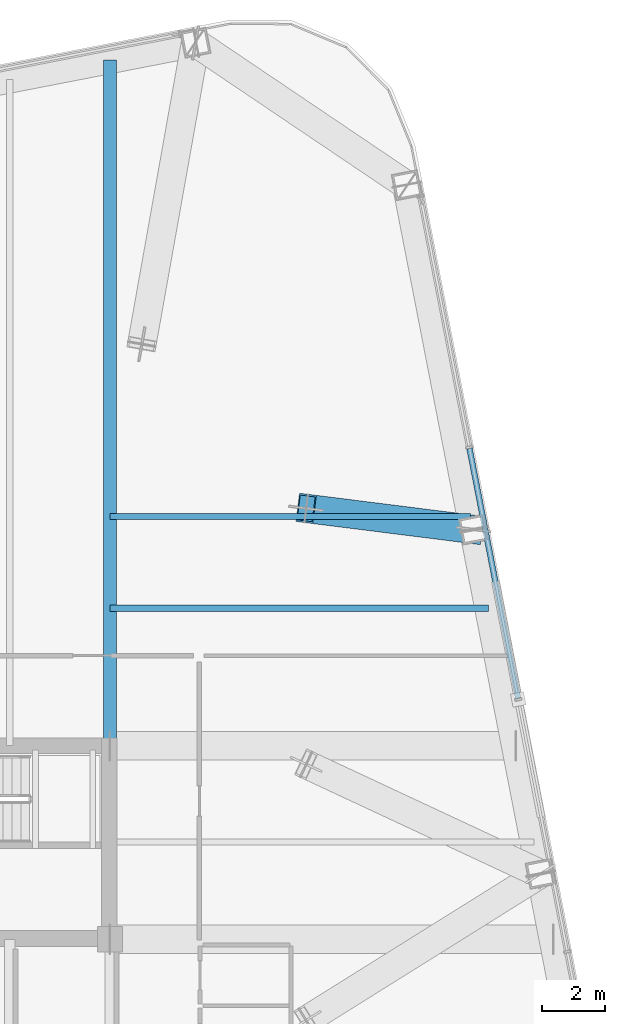
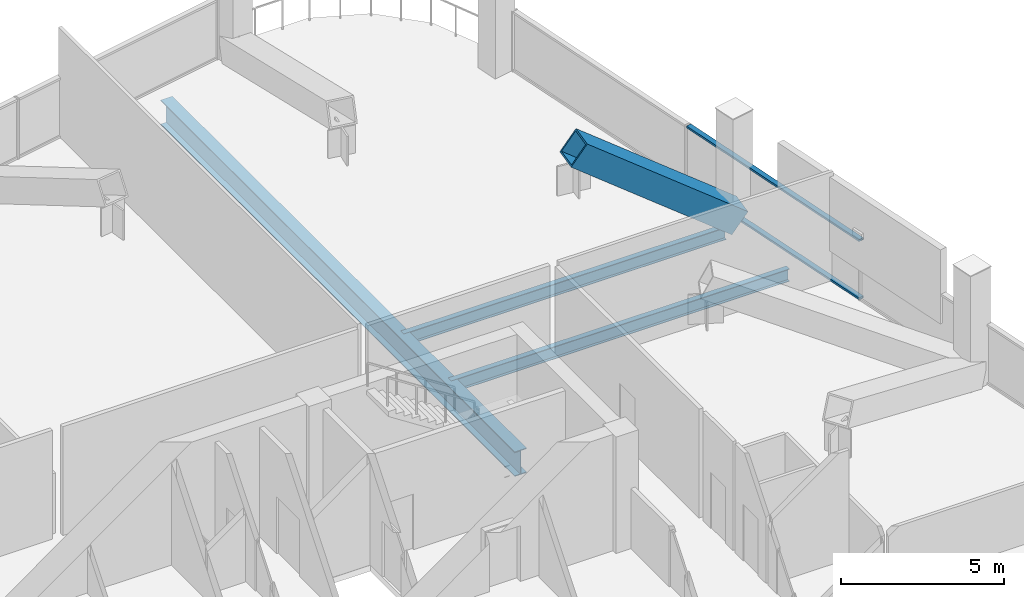
# One storey, part 15 of 26: 3 beams, 3 members, 1 element without a shape of its own.
"""IFC4 building model written with IfcOpenShell, lengths in metres."""

from ifc_helpers import new_model, si_unit, direction, frame, origin, origin_2d, place, context, subcontext, project, spatial, hollow_rectangle, i_section, extrude, material, layer, layer_set, material_profile, profile_set, type_object, element, aggregate, save


model = new_model("IFC4")

# Units and contexts
model_context = context("Model", 3, precision=1e-05, world=origin(), true_north=direction((0.0, 1.0)))
body_context = subcontext(model_context, "Body", "Model", "MODEL_VIEW")
ifc_project = project(units=[si_unit("LENGTHUNIT", "METRE"), si_unit("AREAUNIT", "SQUARE_METRE"), si_unit("VOLUMEUNIT", "CUBIC_METRE"), si_unit("PLANEANGLEUNIT", "RADIAN"), si_unit("MASSUNIT", "GRAM", prefix="KILO")], contexts=[model_context])

# Site, building, storey
site_placement = place(None, origin())
site = spatial("IfcSite", under=ifc_project, at=site_placement, CompositionType="ELEMENT")
building_placement = place(site_placement, origin())
building = spatial("IfcBuilding", under=site, at=building_placement, Name="Qhalaya Broadcast Tower", CompositionType="ELEMENT")
storey_placement = place(building_placement, frame((0.0, 0.0, 140.25)))
storey = spatial("IfcBuildingStorey", under=building, at=storey_placement, Name="L41", CompositionType="ELEMENT", Elevation=140.25)

# Beams
ifc_material_1 = material(Name="Structural Steel ASTM A992 Grade 50", Category="steel")
ifc_material_profile_1 = material_profile(ifc_material_1, i_section(OverallWidth=0.19189453125, OverallDepth=0.462890625, WebThickness=0.010498046875, FlangeThickness=0.017578125, at=origin_2d()), Name="W18X60")
ifc_profile_set_1 = profile_set([ifc_material_profile_1], Name="Structural Steel ASTM A992 Grade 50")
beam_type_1 = type_object("IfcBeamType", Name="Composite Floor Joist J03", PredefinedType="JOIST", material=ifc_profile_set_1)
beam_1_placement = place(storey_placement, frame((9.375, 14.300048828125, -0.451416015625), z_axis=(1.0, 0.0, 0.0), x_axis=(0.0, 1.0, 0.0)))
element("IfcBeam", 1, at=beam_1_placement, inside=storey, type_object=beam_type_1, Name="L41 J03 L41-JWE6E-1", PredefinedType="JOIST", context=body_context, shape_type="SweptSolid", body=[
    extrude(i_section(OverallWidth=0.19189453125, OverallDepth=0.462890625, WebThickness=0.010498046875, FlangeThickness=0.017578125, at=origin_2d()), origin(), (0.0, 0.0, 1.0), 11.969482421875),
])
beam_2_placement = place(storey_placement, frame((9.375, 17.199951171875, -0.451416015625), z_axis=(1.0, 0.0, 0.0), x_axis=(0.0, 1.0, 0.0)))
element("IfcBeam", 2, at=beam_2_placement, inside=storey, type_object=beam_type_1, Name="L41 J03 L41-JWE7E-1", PredefinedType="JOIST", context=body_context, shape_type="SweptSolid", body=[
    extrude(i_section(OverallWidth=0.19189453125, OverallDepth=0.462890625, WebThickness=0.010498046875, FlangeThickness=0.017578125, at=origin_2d()), origin(), (0.0, 0.0, 1.0), 11.40576171875),
])

# Member
ifc_material_2 = material(Name="Structural Steel ASTM A572 Grade 50", Category="steel")
ifc_material_profile_2 = material_profile(ifc_material_2, hollow_rectangle(XDim=0.89990234375, YDim=0.89990234375, WallThickness=0.054931640625, at=origin_2d()), Name="BOX 900x900x55")
ifc_profile_set_2 = profile_set([ifc_material_profile_2], Name="Structural Steel ASTM A572 Grade 50")
member_type_1 = type_object("IfcMemberType", Name="Heavy Exoskeleton Transfer Strut RK1", PredefinedType="BRACE", material=ifc_profile_set_2)
member_1_placement = place(storey_placement, frame((20.88037109375, 16.79248046875, 0.370849609375), z_axis=(-0.795683278321, 0.100202583276, 0.597367192692), x_axis=(-0.124945885191, -0.992163557975, 0.0)))
element("IfcMember", 3, at=member_1_placement, inside=storey, type_object=member_type_1, Name="L41 Inclined Exoskeleton Transfer Strut 08", PredefinedType="BRACE", context=body_context, shape_type="SweptSolid", body=[
    extrude(hollow_rectangle(XDim=0.89990234375, YDim=0.89990234375, WallThickness=0.054931640625, at=origin_2d()), origin(), (0.0, 0.0, 1.0), 6.661376953125),
])

# Beam
ifc_material_profile_3 = material_profile(ifc_material_1, i_section(OverallWidth=0.4189453125, OverallDepth=0.927001953125, WebThickness=0.019287109375, FlangeThickness=0.031982421875, at=origin_2d()), Name="W36X231")
ifc_profile_set_3 = profile_set([ifc_material_profile_3], Name="Structural Steel ASTM A992 Grade 50")
beam_type_2 = type_object("IfcBeamType", Name="Mid Block Primary Girder PG3", PredefinedType="USERDEFINED", material=ifc_profile_set_3)
beam_3_placement = place(storey_placement, frame((9.375, 9.949951171875, -0.68359375), z_axis=(0.0, 1.0, 0.0), x_axis=(-1.0, 0.0, 0.0)))
element("IfcBeam", 4, at=beam_3_placement, inside=storey, type_object=beam_type_2, Name="L41 PG3 L41-PGXN2-1", ObjectType="GIRDER", PredefinedType="USERDEFINED", context=body_context, shape_type="SweptSolid", body=[
    extrude(i_section(OverallWidth=0.4189453125, OverallDepth=0.927001953125, WebThickness=0.019287109375, FlangeThickness=0.031982421875, at=origin_2d()), origin(), (0.0, 0.0, 1.0), 21.7001953125),
])

# Curtain wall, members
ifc_material_3 = material(Name="Fired Architectural Terracotta", Category="masonry")
ifc_layer = layer(ifc_material_3, 0.219970703125, Name="Fired Architectural Terracotta")
ifc_layer_set = layer_set([ifc_layer], Name="Fired Architectural Terracotta")
curtain_wall_type = type_object("IfcCurtainWallType", Name="Block-Cap Unitised Terracotta Spandrel Wall CW-07", PredefinedType="NOTDEFINED", material=ifc_layer_set)
curtain_wall_placement = place(storey_placement, origin())
curtain_wall = element("IfcCurtainWall", 5, at=curtain_wall_placement, inside=storey, type_object=curtain_wall_type, Name="L41 Unitised Curtain Wall L41-CW-E", PredefinedType="NOTDEFINED")
ifc_material_4 = material(Name="Anodised Aluminium 6063-T6", Category="aluminium")
ifc_material_profile_4 = material_profile(ifc_material_4, hollow_rectangle(XDim=0.074951171875, YDim=0.179931640625, WallThickness=0.00390625, at=origin_2d()), Name="ALU-TRN 75x180x4")
ifc_profile_set_4 = profile_set([ifc_material_profile_4], Name="Anodised Aluminium 6063-T6")
member_type_2 = type_object("IfcMemberType", Name="Unitised Curtain-Wall Transom T01", PredefinedType="USERDEFINED", material=ifc_profile_set_4)
member_2_placement = place(storey_placement, frame((20.74853515625, 19.358154296875, 0.03759765625), z_axis=(0.190803955268, -0.981628163132, 0.0), x_axis=(0.0, 0.0, 1.0)))
member_2 = element("IfcMember", 6, at=member_2_placement, type_object=member_type_2, Name="CW-07 transom 2.1", ObjectType="TRANSOM", PredefinedType="USERDEFINED", context=body_context, shape_type="SweptSolid", body=[
    extrude(hollow_rectangle(XDim=0.074951171875, YDim=0.179931640625, WallThickness=0.00390625, at=origin_2d()), origin(), (0.0, 0.0, 1.0), 8.055908203125),
])
member_3_placement = place(storey_placement, frame((20.74853515625, 19.358154296875, 2.21240234375), z_axis=(0.190803955268, -0.981628163132, 0.0), x_axis=(0.0, 0.0, 1.0)))
member_3 = element("IfcMember", 7, at=member_3_placement, type_object=member_type_2, Name="CW-07 transom 2.2", ObjectType="TRANSOM", PredefinedType="USERDEFINED", context=body_context, shape_type="SweptSolid", body=[
    extrude(hollow_rectangle(XDim=0.074951171875, YDim=0.179931640625, WallThickness=0.00390625, at=origin_2d()), origin(), (0.0, 0.0, 1.0), 8.055908203125),
])
aggregate(curtain_wall, [member_2, member_3])

save(model, "model.ifc")
